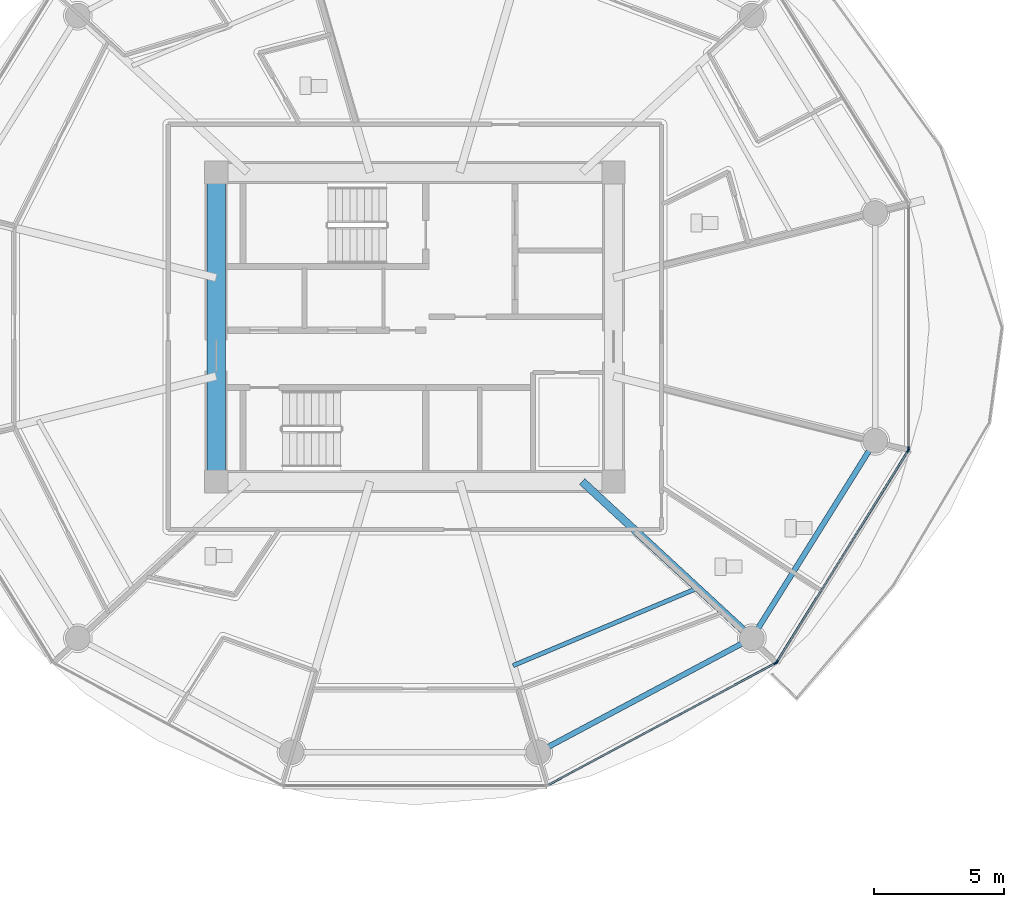
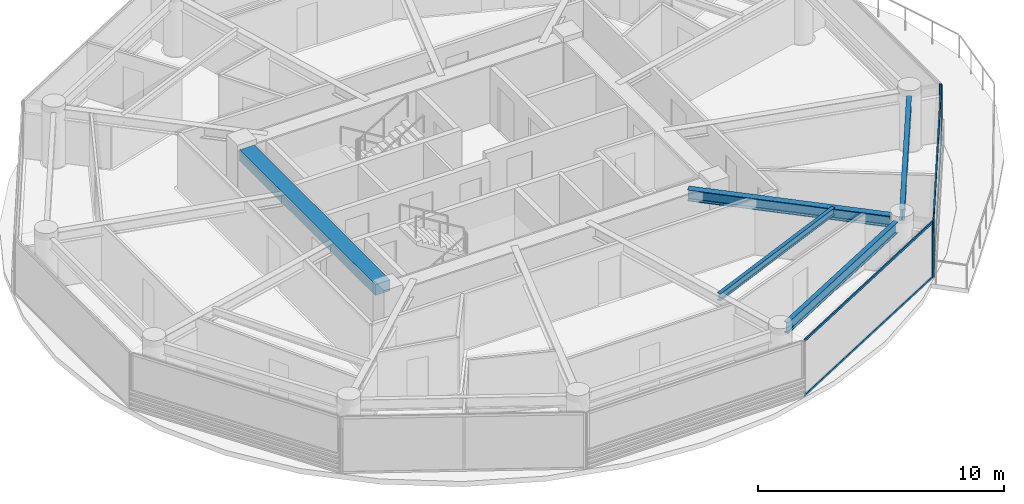
# One storey, part 11 of 31: 8 members, 5 beams, 3 elements without a shape of their own.
"""IFC4 building model written with IfcOpenShell, lengths in metres."""

from ifc_helpers import new_model, si_unit, direction, frame, origin, origin_2d, place, context, subcontext, project, spatial, rectangle, i_section, extrude, source, transform, mapped, material, layer, layer_set, material_profile, profile_set, type_object, type_shapes, element, aggregate, save


model = new_model("IFC4")

# Units and contexts
model_context = context("Model", 3, precision=1e-05, world=origin(), true_north=direction((0.0, 1.0)))
body_context = subcontext(model_context, "Body", "Model", "MODEL_VIEW")
ifc_project = project(units=[si_unit("LENGTHUNIT", "METRE"), si_unit("AREAUNIT", "SQUARE_METRE"), si_unit("VOLUMEUNIT", "CUBIC_METRE"), si_unit("PLANEANGLEUNIT", "RADIAN"), si_unit("MASSUNIT", "GRAM", prefix="KILO")], contexts=[model_context])

# Site, building, storey
site_placement = place(None, origin())
site = spatial("IfcSite", under=ifc_project, at=site_placement, CompositionType="ELEMENT")
building_placement = place(site_placement, origin())
building = spatial("IfcBuilding", under=site, at=building_placement, Name="Norrkilde Senior Care Towers", CompositionType="ELEMENT")
storey_placement = place(building_placement, frame((0.0, 0.0, 42.949951171875)))
storey = spatial("IfcBuildingStorey", under=building, at=storey_placement, Name="L12", CompositionType="ELEMENT", Elevation=42.949951171875)

# Beams
ifc_material_1 = material(Name="Concrete C60/75", Category="concrete")
ifc_material_profile_1 = material_profile(ifc_material_1, rectangle(XDim=0.699951171875, YDim=0.550048828125, at=origin_2d()), Name="RC BM 700x550")
ifc_profile_set_1 = profile_set([ifc_material_profile_1], Name="Concrete C60/75")
beam_type_1 = type_object("IfcBeamType", Name="Core Portal Coupling Beam 700x550", PredefinedType="USERDEFINED", material=ifc_profile_set_1)
shared_shape_1 = source(origin(), body_context, "Body", "SweptSolid", [
    extrude(rectangle(XDim=0.699951171875, YDim=0.550048828125, at=origin_2d()), origin(), (0.0, 0.0, 1.0), 11.0400390625),
])
type_shapes(beam_type_1, [shared_shape_1])
beam_1_placement = place(storey_placement, frame((20.35009765625, -5.52001953125, 2.51513671875), z_axis=(0.0, 1.0, 0.0), x_axis=(-1.0, 0.0, 0.0)))
element("IfcBeam", 1, at=beam_1_placement, inside=storey, type_object=beam_type_1, Name="L12 Core E W Coupling Girder", ObjectType="GIRDER", PredefinedType="USERDEFINED", context=body_context, shape_type="MappedRepresentation", body=[
    mapped(shared_shape_1, transform((0.0, 0.0, 0.0), x_axis=(1.0, 0.0, 0.0), y_axis=(0.0, 1.0, 0.0), z_axis=(0.0, 0.0, 1.0), scale=1.0)),
])
ifc_material_2 = material(Name="Steel S355", Category="steel")
ifc_material_profile_2 = material_profile(ifc_material_2, i_section(OverallWidth=0.2099609375, OverallDepth=0.550048828125, WebThickness=0.010986328125, FlangeThickness=0.01708984375, FilletRadius=0.02392578125, at=origin_2d()), Name="IPE 550")
ifc_profile_set_2 = profile_set([ifc_material_profile_2], Name="Steel S355")
beam_type_2 = type_object("IfcBeamType", Name="Perimeter Ring Spandrel Z1 IPE550", PredefinedType="SPANDREL", material=ifc_profile_set_2)
shared_shape_2 = source(origin(), body_context, "Body", "SweptSolid", [
    extrude(i_section(OverallWidth=0.2099609375, OverallDepth=0.550048828125, WebThickness=0.010986328125, FlangeThickness=0.01708984375, FilletRadius=0.02392578125, at=origin_2d()), origin(), (0.0, 0.0, 1.0), 8.090576171875),
])
beam_2_placement = place(storey_placement, frame((41.2060546875, -11.61669921875, 2.51513671875), z_axis=(0.530004364821, 0.84799491347, 0.0), x_axis=(-0.84799491347, 0.530004364821, 0.0)))
element("IfcBeam", 2, at=beam_2_placement, inside=storey, type_object=beam_type_2, Name="L12 Drum E Perimeter Spandrel 11", PredefinedType="SPANDREL", context=body_context, shape_type="MappedRepresentation", body=[
    mapped(shared_shape_2, transform((0.0, 0.0, 0.0), x_axis=(1.0, 0.0, 0.0), y_axis=(0.0, 1.0, 0.0), z_axis=(0.0, 0.0, 1.0), scale=1.0)),
])
shared_shape_3 = source(origin(), body_context, "Body", "SweptSolid", [
    extrude(i_section(OverallWidth=0.2099609375, OverallDepth=0.550048828125, WebThickness=0.010986328125, FlangeThickness=0.01708984375, FilletRadius=0.02392578125, at=origin_2d()), origin(), (0.0, 0.0, 1.0), 8.452880859375),
])
type_shapes(beam_type_2, [shared_shape_2, shared_shape_3])
beam_3_placement = place(storey_placement, frame((33.133056640625, -16.167724609375, 2.51513671875), z_axis=(0.882368931134, 0.470558252898, 0.0), x_axis=(-0.470558252898, 0.882368931134, 0.0)))
element("IfcBeam", 3, at=beam_3_placement, inside=storey, type_object=beam_type_2, Name="L12 Drum E Perimeter Spandrel 10", PredefinedType="SPANDREL", context=body_context, shape_type="MappedRepresentation", body=[
    mapped(shared_shape_3, transform((0.0, 0.0, 0.0), x_axis=(1.0, 0.0, 0.0), y_axis=(0.0, 1.0, 0.0), z_axis=(0.0, 0.0, 1.0), scale=1.0)),
])
ifc_material_profile_3 = material_profile(ifc_material_2, i_section(OverallWidth=0.300048828125, OverallDepth=0.550048828125, WebThickness=0.014892578125, FlangeThickness=0.029052734375, FilletRadius=0.027099609375, at=origin_2d()), Name="HEB 550")
ifc_profile_set_3 = profile_set([ifc_material_profile_3], Name="Steel S355")
beam_type_3 = type_object("IfcBeamType", Name="Radial Floor Beam Z1 HEB550", PredefinedType="BEAM", material=ifc_profile_set_3)
shared_shape_4 = source(origin(), body_context, "Body", "SweptSolid", [
    extrude(i_section(OverallWidth=0.300048828125, OverallDepth=0.550048828125, WebThickness=0.014892578125, FlangeThickness=0.029052734375, FilletRadius=0.027099609375, at=origin_2d()), origin(), (0.0, 0.0, 1.0), 8.459716796875),
])
type_shapes(beam_type_3, [shared_shape_4])
beam_4_placement = place(storey_placement, frame((34.44140625, -5.949951171875, 2.51513671875), z_axis=(0.734573269108, -0.678529374686, 0.0), x_axis=(0.678529374686, 0.734573269108, 0.0)))
element("IfcBeam", 4, at=beam_4_placement, inside=storey, type_object=beam_type_3, Name="L12 Drum E Radial Floor Beam 11", PredefinedType="BEAM", context=body_context, shape_type="MappedRepresentation", body=[
    mapped(shared_shape_4, transform((0.0, 0.0, 0.0), x_axis=(1.0, 0.0, 0.0), y_axis=(0.0, 1.0, 0.0), z_axis=(0.0, 0.0, 1.0), scale=1.0)),
])
ifc_material_profile_4 = material_profile(ifc_material_2, i_section(OverallWidth=0.169921875, OverallDepth=0.360107421875, WebThickness=0.008056640625, FlangeThickness=0.0126953125, FilletRadius=0.01806640625, at=origin_2d()), Name="IPE 360")
ifc_profile_set_4 = profile_set([ifc_material_profile_4], Name="Steel S355")
beam_type_4 = type_object("IfcBeamType", Name="Secondary Floor Joist IPE360", PredefinedType="JOIST", material=ifc_profile_set_4)
shared_shape_5 = source(origin(), body_context, "Body", "SweptSolid", [
    extrude(i_section(OverallWidth=0.169921875, OverallDepth=0.360107421875, WebThickness=0.008056640625, FlangeThickness=0.0126953125, FilletRadius=0.01806640625, at=origin_2d()), origin(), (0.0, 0.0, 1.0), 7.703857421875),
])
type_shapes(beam_type_4, [shared_shape_5])
beam_5_placement = place(storey_placement, frame((31.78173828125, -13.037353515625, 2.610107421875), z_axis=(0.921982784465, 0.387230868023, 0.0), x_axis=(-0.387230868023, 0.921982784465, 0.0)))
element("IfcBeam", 5, at=beam_5_placement, inside=storey, type_object=beam_type_4, Name="L12 Drum E Secondary Floor Joist 4", PredefinedType="JOIST", context=body_context, shape_type="MappedRepresentation", body=[
    mapped(shared_shape_5, transform((0.0, 0.0, 0.0), x_axis=(1.0, 0.0, 0.0), y_axis=(0.0, 1.0, 0.0), z_axis=(0.0, 0.0, 1.0), scale=1.0)),
])

# Curtain wall, member
ifc_material_3 = material(Name="Triple Low-E Insulated Glazing", Category="glass")
ifc_layer = layer(ifc_material_3, 0.199951171875)
ifc_layer_set = layer_set([ifc_layer], Name="Triple Low-E Insulated Glazing")
curtain_wall_type = type_object("IfcCurtainWallType", Name="CW2 Zone 1 Memory Care Curtain Wall", PredefinedType="NOTDEFINED", material=ifc_layer_set)
curtain_wall_1_placement = place(storey_placement, origin())
curtain_wall_1 = element("IfcCurtainWall", 6, at=curtain_wall_1_placement, inside=storey, type_object=curtain_wall_type, Name="L12 Drum E Curtain Wall 09", PredefinedType="NOTDEFINED")
ifc_material_4 = material(Name="Anodised Aluminium", Category="aluminium")
ifc_material_profile_5 = material_profile(ifc_material_4, rectangle(XDim=0.06494140625, YDim=0.159912109375, at=origin_2d()), Name="ALU MULL 65x160")
ifc_profile_set_5 = profile_set([ifc_material_profile_5], Name="Anodised Aluminium")
member_type_1 = type_object("IfcMemberType", Name="Curtain Wall Mullion Z1-Z2 65x160", PredefinedType="MULLION", material=ifc_profile_set_5)
shared_shape_6 = source(origin(), body_context, "Body", "SweptSolid", [
    extrude(rectangle(XDim=0.06494140625, YDim=0.159912109375, at=origin_2d()), origin(), (0.0, 0.0, 1.0), 2.7900390625),
])
type_shapes(member_type_1, [shared_shape_6])
member_1_placement = place(storey_placement, frame((41.88720703125, -12.941162109375, 0.0), z_axis=(0.0, 0.0, 1.0), x_axis=(0.472607802456, -0.881272866403, 0.0)))
member_1 = element("IfcMember", 7, at=member_1_placement, type_object=member_type_1, Name="CW-2 mullion 1", PredefinedType="MULLION", context=body_context, shape_type="MappedRepresentation", body=[
    mapped(shared_shape_6, transform((0.0, 0.0, 0.0), x_axis=(1.0, 0.0, 0.0), y_axis=(0.0, 1.0, 0.0), z_axis=(0.0, 0.0, 1.0), scale=1.0)),
])

# Curtain wall, members
curtain_wall_2_placement = place(storey_placement, origin())
curtain_wall_2 = element("IfcCurtainWall", 8, at=curtain_wall_2_placement, inside=storey, type_object=curtain_wall_type, Name="L12 Drum E Curtain Wall 10", PredefinedType="NOTDEFINED")
member_2_placement = place(storey_placement, frame((46.9921875, -4.7587890625, 0.0), z_axis=(0.0, 0.0, 1.0), x_axis=(0.849305943117, -0.527900951871, 0.0)))
member_2 = element("IfcMember", 9, at=member_2_placement, type_object=member_type_1, Name="CW-2 mullion 1", PredefinedType="MULLION", context=body_context, shape_type="MappedRepresentation", body=[
    mapped(shared_shape_6, transform((0.0, 0.0, 0.0), x_axis=(1.0, 0.0, 0.0), y_axis=(0.0, 1.0, 0.0), z_axis=(0.0, 0.0, 1.0), scale=1.0)),
])
member_3_placement = place(storey_placement, frame((41.93310546875, -12.898193359375, 0.0), z_axis=(0.0, 0.0, 1.0), x_axis=(0.849305943117, -0.527900951871, 0.0)))
member_3 = element("IfcMember", 10, at=member_3_placement, type_object=member_type_1, Name="CW-2 mullion 2", PredefinedType="MULLION", context=body_context, shape_type="MappedRepresentation", body=[
    mapped(shared_shape_6, transform((0.0, 0.0, 0.0), x_axis=(1.0, 0.0, 0.0), y_axis=(0.0, 1.0, 0.0), z_axis=(0.0, 0.0, 1.0), scale=1.0)),
])

# Curtain wall, member
curtain_wall_3_placement = place(storey_placement, origin())
curtain_wall_3 = element("IfcCurtainWall", 11, at=curtain_wall_3_placement, inside=storey, type_object=curtain_wall_type, Name="L12 Drum E Curtain Wall 11", PredefinedType="NOTDEFINED")
member_4_placement = place(storey_placement, frame((47.009521484375, -4.69873046875, 0.0), z_axis=(0.0, 0.0, 1.0), x_axis=(1.0, 0.0, 0.0)))
member_4 = element("IfcMember", 12, at=member_4_placement, type_object=member_type_1, Name="CW-2 mullion 2", PredefinedType="MULLION", context=body_context, shape_type="MappedRepresentation", body=[
    mapped(shared_shape_6, transform((0.0, 0.0, 0.0), x_axis=(1.0, 0.0, 0.0), y_axis=(0.0, 1.0, 0.0), z_axis=(0.0, 0.0, 1.0), scale=1.0)),
])
aggregate(curtain_wall_3, [member_4])

# Member
ifc_material_profile_6 = material_profile(ifc_material_4, rectangle(XDim=0.06005859375, YDim=0.1201171875, at=origin_2d()), Name="ALU TRAN 60x120")
ifc_profile_set_6 = profile_set([ifc_material_profile_6], Name="Anodised Aluminium")
member_type_2 = type_object("IfcMemberType", Name="Curtain Wall Transom Typical 60x120", PredefinedType="USERDEFINED", material=ifc_profile_set_6)
shared_shape_7 = source(origin(), body_context, "Body", "SweptSolid", [
    extrude(rectangle(XDim=0.06005859375, YDim=0.1201171875, at=origin_2d()), origin(), (0.0, 0.0, 1.0), 9.5185546875),
])
member_5_placement = place(storey_placement, frame((46.97509765625, -4.786376953125, 0.030029296875), z_axis=(-0.527901620669, -0.849305527413, 0.0), x_axis=(0.849305527413, -0.527901620669, 0.0)))
member_5 = element("IfcMember", 13, at=member_5_placement, type_object=member_type_2, Name="CW-2 transom 1.1", ObjectType="TRANSOM", PredefinedType="USERDEFINED", context=body_context, shape_type="MappedRepresentation", body=[
    mapped(shared_shape_7, transform((0.0, 0.0, 0.0), x_axis=(1.0, 0.0, 0.0), y_axis=(0.0, 1.0, 0.0), z_axis=(0.0, 0.0, 1.0), scale=1.0)),
])

member_6_placement = place(storey_placement, frame((46.97509765625, -4.786376953125, 2.760009765625), z_axis=(-0.527901620669, -0.849305527413, 0.0), x_axis=(0.849305527413, -0.527901620669, 0.0)))
member_6 = element("IfcMember", 14, at=member_6_placement, type_object=member_type_2, Name="CW-2 transom 1.2", ObjectType="TRANSOM", PredefinedType="USERDEFINED", context=body_context, shape_type="MappedRepresentation", body=[
    mapped(shared_shape_7, transform((0.0, 0.0, 0.0), x_axis=(1.0, 0.0, 0.0), y_axis=(0.0, 1.0, 0.0), z_axis=(0.0, 0.0, 1.0), scale=1.0)),
])

aggregate(curtain_wall_2, [member_2, member_3, member_5, member_6])

shared_shape_8 = source(origin(), body_context, "Body", "SweptSolid", [
    extrude(rectangle(XDim=0.06005859375, YDim=0.1201171875, at=origin_2d()), origin(), (0.0, 0.0, 1.0), 9.880859375),
])
type_shapes(member_type_2, [shared_shape_7, shared_shape_8])
member_7_placement = place(storey_placement, frame((41.858642578125, -12.95654296875, 0.030029296875), z_axis=(-0.881267204043, -0.47261836092, 0.0), x_axis=(0.47261836092, -0.881267204043, 0.0)))
member_7 = element("IfcMember", 15, at=member_7_placement, type_object=member_type_2, Name="CW-2 transom 1.1", ObjectType="TRANSOM", PredefinedType="USERDEFINED", context=body_context, shape_type="MappedRepresentation", body=[
    mapped(shared_shape_8, transform((0.0, 0.0, 0.0), x_axis=(1.0, 0.0, 0.0), y_axis=(0.0, 1.0, 0.0), z_axis=(0.0, 0.0, 1.0), scale=1.0)),
])

member_8_placement = place(storey_placement, frame((41.858642578125, -12.95654296875, 2.760009765625), z_axis=(-0.881267204043, -0.47261836092, 0.0), x_axis=(0.47261836092, -0.881267204043, 0.0)))
member_8 = element("IfcMember", 16, at=member_8_placement, type_object=member_type_2, Name="CW-2 transom 1.2", ObjectType="TRANSOM", PredefinedType="USERDEFINED", context=body_context, shape_type="MappedRepresentation", body=[
    mapped(shared_shape_8, transform((0.0, 0.0, 0.0), x_axis=(1.0, 0.0, 0.0), y_axis=(0.0, 1.0, 0.0), z_axis=(0.0, 0.0, 1.0), scale=1.0)),
])

aggregate(curtain_wall_1, [member_1, member_7, member_8])

save(model, "model.ifc")
